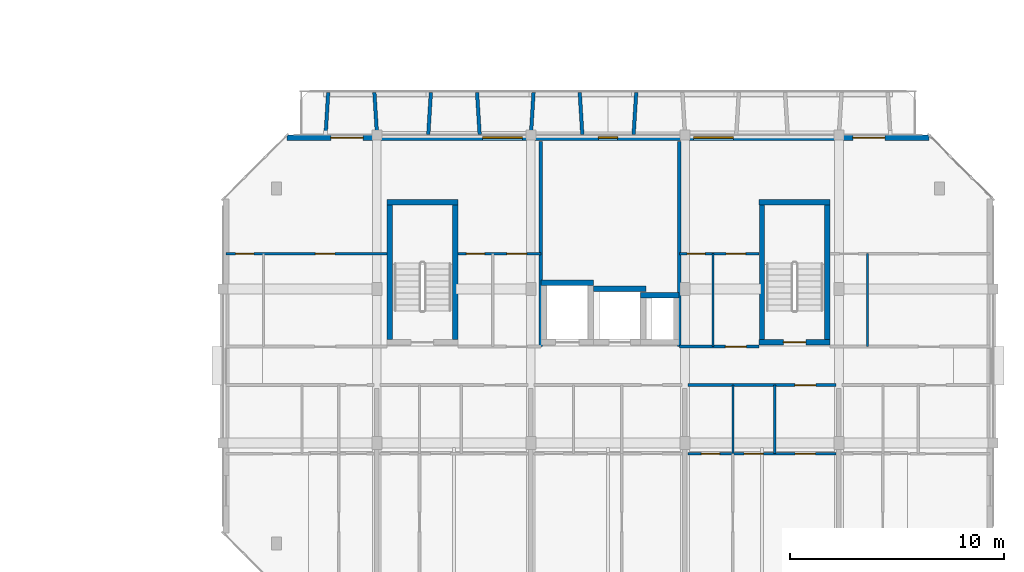
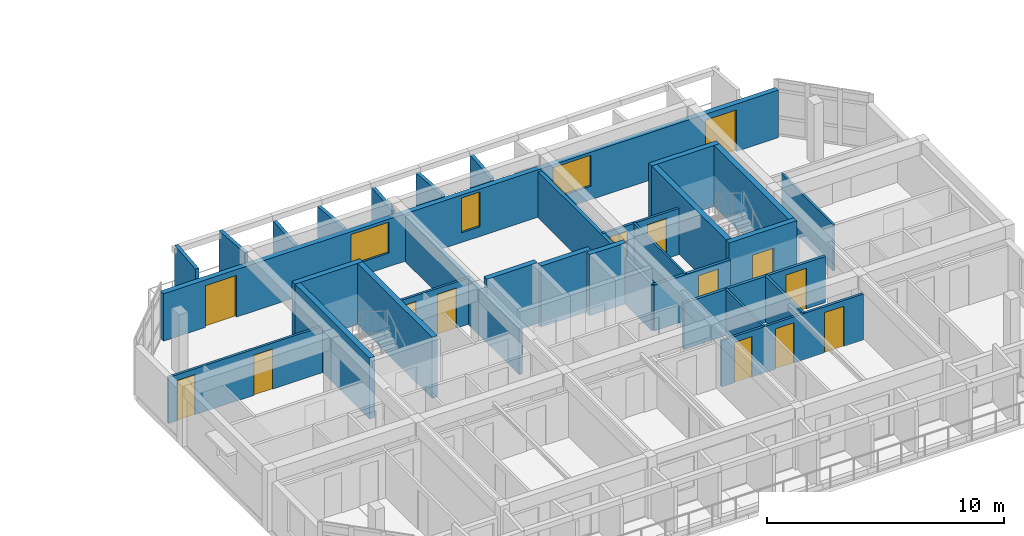
# One storey, part 17 of 30: 30 walls, 14 doors, 3 windows, 17 openings.
"""IFC4 building model written with IfcOpenShell, lengths in metres."""

from ifc_helpers import new_model, si_unit, direction, frame, frame_2d, origin, place, context, subcontext, project, spatial, rectangle, extrude, material, layer, layer_set, type_object, element, fill, save


model = new_model("IFC4")

# Units and contexts
model_context = context("Model", 3, precision=1e-05, world=origin(), true_north=direction((0.0, 1.0)))
body_context = subcontext(model_context, "Body", "Model", "MODEL_VIEW")
ifc_project = project(units=[si_unit("LENGTHUNIT", "METRE"), si_unit("AREAUNIT", "SQUARE_METRE"), si_unit("VOLUMEUNIT", "CUBIC_METRE"), si_unit("PLANEANGLEUNIT", "RADIAN"), si_unit("MASSUNIT", "GRAM", prefix="KILO")], contexts=[model_context])

# Site, building, storey
site_placement = place(None, origin())
site = spatial("IfcSite", under=ifc_project, at=site_placement, CompositionType="ELEMENT")
building_placement = place(site_placement, origin())
building = spatial("IfcBuilding", under=site, at=building_placement, Name="Ochrevale Crest", CompositionType="ELEMENT")
storey_placement = place(building_placement, frame((0.0, 0.0, 33.89990234375)))
storey = spatial("IfcBuildingStorey", under=building, at=storey_placement, Name="L10", CompositionType="ELEMENT", Elevation=33.89990234375)

# Wall, opening, door
ifc_material_1 = material(Name="Gypsum plasterboard", Category="gypsum")
ifc_layer_1 = layer(ifc_material_1, 0.139892578125)
ifc_layer_set_1 = layer_set([ifc_layer_1], Name="Gypsum plasterboard")
wall_type_1 = type_object("IfcWallType", Name="WL-COR-140", PredefinedType="PARTITIONING", material=ifc_layer_set_1)
wall_1_placement = place(storey_placement, frame((151.340087890625, 24.300048828125, 0.0), z_axis=(0.0, 0.0, 1.0), x_axis=(1.0, 0.0, 0.0)))
wall_1 = element("IfcWall", 1, at=wall_1_placement, inside=storey, type_object=wall_type_1, Name="Apartment C-L10-U4 corridor wall", PredefinedType="PARTITIONING", context=body_context, shape_type="SweptSolid", body=[
    extrude(rectangle(XDim=6.919921875, YDim=0.139892578125, at=frame_2d((3.4599609375, 0.0))), origin(), (0.0, 0.0, 1.0), 2.380126953125),
])
opening_1_placement = place(wall_1_placement, frame((5.97509765625, 0.0, 0.0), z_axis=(0.0, 0.0, 1.0), x_axis=(-1.0, 0.0, 0.0)))
opening_1 = element("IfcOpeningElement", 2, at=opening_1_placement, cuts=wall_1, Name="Opening FD01", PredefinedType="OPENING", context=body_context, shape_type="SweptSolid", body=[
    extrude(rectangle(XDim=0.97998046875, YDim=2.10009765625, at=frame_2d((0.489990234375, 1.050048828125))), frame((0.0, 0.080078125, 0.0), z_axis=(0.0, -1.0, 0.0), x_axis=(1.0, 0.0, 0.0)), (0.0, 0.0, 1.0), 0.159912109375),
])
ifc_material_2 = material(Name="Solid-core FSC hardwood", Category="wood")
door_type_1 = type_object("IfcDoorType", Name="DR-APT-950", OperationType="NOTDEFINED", PredefinedType="DOOR", material=ifc_material_2)
door_1_placement = place(opening_1_placement, origin())
door_1 = element("IfcDoor", 3, at=door_1_placement, inside=storey, type_object=door_type_1, Name="Apartment C-L10-U4 entrance door", OperationType="SINGLE_SWING_RIGHT", OverallHeight=2.10009765625, OverallWidth=0.97998046875, PredefinedType="DOOR", context=body_context, shape_type="SweptSolid", body=[
    extrude(rectangle(XDim=0.97998046875, YDim=2.10009765625, at=frame_2d((0.489990234375, 1.050048828125))), frame((0.0, 0.02490234375, 0.0), z_axis=(0.0, -1.0, 0.0), x_axis=(1.0, 0.0, 0.0)), (0.0, 0.0, 1.0), 0.050048828125),
])
fill(opening_1, door_1)

wall_2_placement = place(storey_placement, frame((150.93994140625, 26.10009765625, 0.0), z_axis=(0.0, 0.0, 1.0), x_axis=(1.0, 0.0, 0.0)))
wall_2 = element("IfcWall", 4, at=wall_2_placement, inside=storey, type_object=wall_type_1, Name="Suite C-L10-ME corridor wall", PredefinedType="PARTITIONING", context=body_context, shape_type="SweptSolid", body=[
    extrude(rectangle(XDim=3.719970703125, YDim=0.139892578125, at=frame_2d((1.85986328125, 0.0))), origin(), (0.0, 0.0, 1.0), 2.380126953125),
])
opening_2_placement = place(wall_2_placement, frame((3.131103515625, 0.0, 0.0), z_axis=(0.0, 0.0, 1.0), x_axis=(-1.0, 0.0, 0.0)))
opening_2 = element("IfcOpeningElement", 5, at=opening_2_placement, cuts=wall_2, Name="Opening FD01", PredefinedType="OPENING", context=body_context, shape_type="SweptSolid", body=[
    extrude(rectangle(XDim=0.97998046875, YDim=2.10009765625, at=frame_2d((0.489990234375, 1.050048828125))), frame((0.0, 0.080078125, 0.0), z_axis=(0.0, -1.0, 0.0), x_axis=(1.0, 0.0, 0.0)), (0.0, 0.0, 1.0), 0.159912109375),
])
door_2_placement = place(opening_2_placement, origin())
door_2 = element("IfcDoor", 6, at=door_2_placement, inside=storey, type_object=door_type_1, Name="Suite C-L10-ME entrance door", OperationType="SINGLE_SWING_RIGHT", OverallHeight=2.10009765625, OverallWidth=0.97998046875, PredefinedType="DOOR", context=body_context, shape_type="SweptSolid", body=[
    extrude(rectangle(XDim=0.97998046875, YDim=2.10009765625, at=frame_2d((0.489990234375, 1.050048828125))), frame((0.0, 0.02490234375, 0.0), z_axis=(0.0, -1.0, 0.0), x_axis=(1.0, 0.0, 0.0)), (0.0, 0.0, 1.0), 0.050048828125),
])
fill(opening_2, door_2)

# Walls
ifc_material_3 = material(Name="Precast concrete C50/60", Category="concrete")
ifc_layer_2 = layer(ifc_material_3, 0.2548828125)
ifc_layer_set_2 = layer_set([ifc_layer_2], Name="Precast concrete C50/60")
wall_type_2 = type_object("IfcWallType", Name="WL-CORE-255", PredefinedType="SHEAR", material=ifc_layer_set_2)
wall_3_placement = place(storey_placement, frame((137.2724609375, 32.85009765625, 0.0), z_axis=(0.0, 0.0, 1.0), x_axis=(1.0, 0.0, 0.0)))
element("IfcWall", 7, at=wall_3_placement, inside=storey, type_object=wall_type_2, Name="Block C L10 Stair 1 precast core shear wall N", PredefinedType="SHEAR", context=body_context, shape_type="SweptSolid", body=[
    extrude(rectangle(XDim=3.304931640625, YDim=0.2548828125, at=frame_2d((1.65234375, 0.0))), origin(), (0.0, 0.0, 1.0), 3.150146484375),
])
for number, where, z_axis, x_axis, name in (
    (8, (137.39990234375, 26.427490234375, 0.0), (0.0, 0.0, 1.0), (0.0, 1.0, 0.0), "Block C L10 Stair 1 precast core shear wall W"),
    (9, (140.449951171875, 26.427490234375, 0.0), (0.0, 0.0, 1.0), (0.0, 1.0, 0.0), "Block C L10 Stair 1 precast core shear wall E"),
):
    element("IfcWall", number, at=place(storey_placement, frame(where, z_axis=z_axis, x_axis=x_axis)), inside=storey, type_object=wall_type_2, Name=name, PredefinedType="SHEAR", context=body_context, shape_type="SweptSolid", body=[
        extrude(rectangle(XDim=6.294921875, YDim=0.2548828125, at=frame_2d((3.1474609375, 0.0))), origin(), (0.0, 0.0, 1.0), 3.150146484375),
    ])

# Wall, opening, door
wall_4_placement = place(storey_placement, frame((154.672607421875, 26.300048828125, 0.0), z_axis=(0.0, 0.0, 1.0), x_axis=(1.0, 0.0, 0.0)))
wall_4 = element("IfcWall", 10, at=wall_4_placement, inside=storey, type_object=wall_type_2, Name="Block C L10 Stair 2 precast core shear wall S", PredefinedType="SHEAR", context=body_context, shape_type="SweptSolid", body=[
    extrude(rectangle(XDim=3.304931640625, YDim=0.2548828125, at=frame_2d((1.65234375, 0.0))), origin(), (0.0, 0.0, 1.0), 3.150146484375),
])
opening_3_placement = place(wall_4_placement, frame((1.12744140625, 0.0, 0.0)))
opening_3 = element("IfcOpeningElement", 11, at=opening_3_placement, cuts=wall_4, Name="Opening FD03", PredefinedType="OPENING", context=body_context, shape_type="SweptSolid", body=[
    extrude(rectangle(XDim=1.050048828125, YDim=2.1201171875, at=frame_2d((0.52490234375, 1.06005859375))), frame((0.0, 0.137451171875, 0.0), z_axis=(0.0, -1.0, 0.0), x_axis=(1.0, 0.0, 0.0)), (0.0, 0.0, 1.0), 0.27490234375),
])
door_type_2 = type_object("IfcDoorType", Name="DR-ST-1050", OperationType="NOTDEFINED", PredefinedType="DOOR", material=ifc_material_2)
door_3_placement = place(opening_3_placement, origin())
door_3 = element("IfcDoor", 12, at=door_3_placement, inside=storey, type_object=door_type_2, Name="Block C L10 fire stair 2 door", OperationType="SINGLE_SWING_LEFT", OverallHeight=2.1201171875, OverallWidth=1.050048828125, PredefinedType="DOOR", context=body_context, shape_type="SweptSolid", body=[
    extrude(rectangle(XDim=1.050048828125, YDim=2.1201171875, at=frame_2d((0.52490234375, 1.06005859375))), frame((0.0, 0.02490234375, 0.0), z_axis=(0.0, -1.0, 0.0), x_axis=(1.0, 0.0, 0.0)), (0.0, 0.0, 1.0), 0.050048828125),
])
fill(opening_3, door_3)

# Walls
wall_5_placement = place(storey_placement, frame((154.672607421875, 32.85009765625, 0.0), z_axis=(0.0, 0.0, 1.0), x_axis=(1.0, 0.0, 0.0)))
element("IfcWall", 13, at=wall_5_placement, inside=storey, type_object=wall_type_2, Name="Block C L10 Stair 2 precast core shear wall N", PredefinedType="SHEAR", context=body_context, shape_type="SweptSolid", body=[
    extrude(rectangle(XDim=3.304931640625, YDim=0.2548828125, at=frame_2d((1.65234375, 0.0))), origin(), (0.0, 0.0, 1.0), 3.150146484375),
])
for number, where, z_axis, x_axis, name in (
    (14, (154.800048828125, 26.427490234375, 0.0), (0.0, 0.0, 1.0), (0.0, 1.0, 0.0), "Block C L10 Stair 2 precast core shear wall W"),
    (15, (157.85009765625, 26.427490234375, 0.0), (0.0, 0.0, 1.0), (0.0, 1.0, 0.0), "Block C L10 Stair 2 precast core shear wall E"),
):
    element("IfcWall", number, at=place(storey_placement, frame(where, z_axis=z_axis, x_axis=x_axis)), inside=storey, type_object=wall_type_2, Name=name, PredefinedType="SHEAR", context=body_context, shape_type="SweptSolid", body=[
        extrude(rectangle(XDim=6.294921875, YDim=0.2548828125, at=frame_2d((3.1474609375, 0.0))), origin(), (0.0, 0.0, 1.0), 3.150146484375),
    ])
wall_6_placement = place(storey_placement, frame((144.472412109375, 29.10009765625, 0.0), z_axis=(0.0, 0.0, 1.0), x_axis=(1.0, 0.0, 0.0)))
element("IfcWall", 16, at=wall_6_placement, inside=storey, type_object=wall_type_2, Name="Block C L10 Lift 1 precast shaft shear wall N", PredefinedType="SHEAR", context=body_context, shape_type="SweptSolid", body=[
    extrude(rectangle(XDim=2.455078125, YDim=0.2548828125, at=frame_2d((1.2275390625, 0.0))), origin(), (0.0, 0.0, 1.0), 3.150146484375),
])
wall_7_placement = place(storey_placement, frame((146.922607421875, 28.800048828125, 0.0), z_axis=(0.0, 0.0, 1.0), x_axis=(1.0, 0.0, 0.0)))
element("IfcWall", 17, at=wall_7_placement, inside=storey, type_object=wall_type_2, Name="Block C L10 Lift 2 precast shaft shear wall N", PredefinedType="SHEAR", context=body_context, shape_type="SweptSolid", body=[
    extrude(rectangle(XDim=2.454833984375, YDim=0.2548828125, at=frame_2d((1.2275390625, 0.0))), origin(), (0.0, 0.0, 1.0), 3.150146484375),
])
wall_8_placement = place(storey_placement, frame((149.12255859375, 28.5, 0.0), z_axis=(0.0, 0.0, 1.0), x_axis=(1.0, 0.0, 0.0)))
element("IfcWall", 18, at=wall_8_placement, inside=storey, type_object=wall_type_2, Name="Block C L10 services riser shaft core wall N", PredefinedType="SHEAR", context=body_context, shape_type="SweptSolid", body=[
    extrude(rectangle(XDim=1.804931640625, YDim=0.2548828125, at=frame_2d((0.90234375, 0.0))), origin(), (0.0, 0.0, 1.0), 3.150146484375),
])

# Wall, openings, doors, windows
ifc_material_4 = material(Name="Precast concrete C40/50", Category="concrete")
ifc_layer_3 = layer(ifc_material_4, 0.25)
ifc_layer_set_3 = layer_set([ifc_layer_3], Name="Precast concrete C40/50")
wall_type_3 = type_object("IfcWallType", Name="WL-EXT-GOLD-250", PredefinedType="SOLIDWALL", material=ifc_layer_set_3)
wall_9_placement = place(storey_placement, frame((162.60009765625, 35.875, 0.0), z_axis=(0.0, 0.0, 1.0), x_axis=(-1.0, 0.0, 0.0)))
wall_9 = element("IfcWall", 19, at=wall_9_placement, inside=storey, type_object=wall_type_3, Name="Block C L10 external facade wall E5", PredefinedType="SOLIDWALL", context=body_context, shape_type="SweptSolid", body=[
    extrude(rectangle(XDim=30.0, YDim=0.25, at=frame_2d((15.0, 0.0))), origin(), (0.0, 0.0, 1.0), 2.4501953125),
])
opening_4_placement = place(wall_9_placement, frame((27.949951171875, 0.0, 0.0), z_axis=(0.0, 0.0, 1.0), x_axis=(-1.0, 0.0, 0.0)))
opening_4 = element("IfcOpeningElement", 20, at=opening_4_placement, cuts=wall_9, Name="Opening BD01", PredefinedType="OPENING", context=body_context, shape_type="SweptSolid", body=[
    extrude(rectangle(XDim=1.5, YDim=2.14990234375, at=frame_2d((0.75, 1.074951171875))), frame((0.0, 0.135009765625, 0.0), z_axis=(0.0, -1.0, 0.0), x_axis=(1.0, 0.0, 0.0)), (0.0, 0.0, 1.0), 0.27001953125),
])
opening_5_placement = place(wall_9_placement, frame((3.550048828125, 0.0, 0.0), z_axis=(0.0, 0.0, 1.0), x_axis=(-1.0, 0.0, 0.0)))
opening_5 = element("IfcOpeningElement", 21, at=opening_5_placement, cuts=wall_9, Name="Opening BD01", PredefinedType="OPENING", context=body_context, shape_type="SweptSolid", body=[
    extrude(rectangle(XDim=1.5, YDim=2.14990234375, at=frame_2d((0.75, 1.074951171875))), frame((0.0, 0.135009765625, 0.0), z_axis=(0.0, -1.0, 0.0), x_axis=(1.0, 0.0, 0.0)), (0.0, 0.0, 1.0), 0.27001953125),
])
opening_6_placement = place(wall_9_placement, frame((14.550048828125, 0.0, 0.5)))
opening_6 = element("IfcOpeningElement", 22, at=opening_6_placement, cuts=wall_9, Name="Opening W17", PredefinedType="OPENING", context=body_context, shape_type="SweptSolid", body=[
    extrude(rectangle(XDim=0.89990234375, YDim=1.800048828125, at=frame_2d((0.449951171875, 0.89990234375))), frame((0.0, 0.135009765625, 0.0), z_axis=(0.0, -1.0, 0.0), x_axis=(1.0, 0.0, 0.0)), (0.0, 0.0, 1.0), 0.27001953125),
])
opening_7_placement = place(wall_9_placement, frame((9.137451171875, 0.0, 0.699951171875)))
opening_7 = element("IfcOpeningElement", 23, at=opening_7_placement, cuts=wall_9, Name="Opening W11", PredefinedType="OPENING", context=body_context, shape_type="SweptSolid", body=[
    extrude(rectangle(XDim=1.860107421875, YDim=1.60009765625, at=frame_2d((0.93017578125, 0.800048828125))), frame((0.0, 0.135009765625, 0.0), z_axis=(0.0, -1.0, 0.0), x_axis=(1.0, 0.0, 0.0)), (0.0, 0.0, 1.0), 0.27001953125),
])
opening_8_placement = place(wall_9_placement, frame((19.00244140625, 0.0, 0.699951171875)))
opening_8 = element("IfcOpeningElement", 24, at=opening_8_placement, cuts=wall_9, Name="Opening W11", PredefinedType="OPENING", context=body_context, shape_type="SweptSolid", body=[
    extrude(rectangle(XDim=1.860107421875, YDim=1.60009765625, at=frame_2d((0.93017578125, 0.800048828125))), frame((0.0, 0.135009765625, 0.0), z_axis=(0.0, -1.0, 0.0), x_axis=(1.0, 0.0, 0.0)), (0.0, 0.0, 1.0), 0.27001953125),
])
ifc_material_5 = material(Name="Anodised aluminium 6063-T5 and toughened glass", Category="aluminium")
door_type_3 = type_object("IfcDoorType", Name="DR-BAL-1500", OperationType="NOTDEFINED", PredefinedType="DOOR", material=ifc_material_5)
door_4_placement = place(opening_4_placement, origin())
door_4 = element("IfcDoor", 25, at=door_4_placement, inside=storey, type_object=door_type_3, Name="Block C L10 balcony door N1", OperationType="SINGLE_SWING_RIGHT", OverallHeight=2.14990234375, OverallWidth=1.5, PredefinedType="DOOR", context=body_context, shape_type="SweptSolid", body=[
    extrude(rectangle(XDim=1.5, YDim=2.14990234375, at=frame_2d((0.75, 1.074951171875))), frame((0.0, 0.02490234375, 0.0), z_axis=(0.0, -1.0, 0.0), x_axis=(1.0, 0.0, 0.0)), (0.0, 0.0, 1.0), 0.050048828125),
])
fill(opening_4, door_4)
door_5_placement = place(opening_5_placement, origin())
door_5 = element("IfcDoor", 26, at=door_5_placement, inside=storey, type_object=door_type_3, Name="Block C L10 balcony door N5", OperationType="SINGLE_SWING_LEFT", OverallHeight=2.14990234375, OverallWidth=1.5, PredefinedType="DOOR", context=body_context, shape_type="SweptSolid", body=[
    extrude(rectangle(XDim=1.5, YDim=2.14990234375, at=frame_2d((0.75, 1.074951171875))), frame((0.0, 0.02490234375, 0.0), z_axis=(0.0, -1.0, 0.0), x_axis=(1.0, 0.0, 0.0)), (0.0, 0.0, 1.0), 0.050048828125),
])
fill(opening_5, door_5)
ifc_material_6 = material(Name="Anodised aluminium 6063-T5 and low-E double glazing", Category="aluminium")
window_type_1 = type_object("IfcWindowType", Name="WIN-W11", PartitioningType="SINGLE_PANEL", PredefinedType="WINDOW", material=ifc_material_6)
window_1_placement = place(opening_7_placement, origin())
window_1 = element("IfcWindow", 27, at=window_1_placement, inside=storey, type_object=window_type_1, Name="Block C L10 Suite C-L10-ME Garden Alcove Studio window", OverallHeight=1.60009765625, OverallWidth=1.860107421875, PartitioningType="SINGLE_PANEL", PredefinedType="WINDOW", context=body_context, shape_type="SweptSolid", body=[
    extrude(rectangle(XDim=1.860107421875, YDim=1.60009765625, at=frame_2d((0.93017578125, 0.800048828125))), frame((0.0, 0.030029296875, 0.0), z_axis=(0.0, -1.0, 0.0), x_axis=(1.0, 0.0, 0.0)), (0.0, 0.0, 1.0), 0.06005859375),
])
fill(opening_7, window_1)
window_2_placement = place(opening_8_placement, origin())
window_2 = element("IfcWindow", 28, at=window_2_placement, inside=storey, type_object=window_type_1, Name="Block C L10 Suite C-L10-MW Courtyard Studio Living window", OverallHeight=1.60009765625, OverallWidth=1.860107421875, PartitioningType="SINGLE_PANEL", PredefinedType="WINDOW", context=body_context, shape_type="SweptSolid", body=[
    extrude(rectangle(XDim=1.860107421875, YDim=1.60009765625, at=frame_2d((0.93017578125, 0.800048828125))), frame((0.0, 0.030029296875, 0.0), z_axis=(0.0, -1.0, 0.0), x_axis=(1.0, 0.0, 0.0)), (0.0, 0.0, 1.0), 0.06005859375),
])
fill(opening_8, window_2)
window_type_2 = type_object("IfcWindowType", Name="WIN-W17", PartitioningType="SINGLE_PANEL", PredefinedType="WINDOW", material=ifc_material_6)
window_3_placement = place(opening_6_placement, origin())
window_3 = element("IfcWindow", 29, at=window_3_placement, inside=storey, type_object=window_type_2, Name="Block C L10 core lancet window", OverallHeight=1.800048828125, OverallWidth=0.89990234375, PartitioningType="SINGLE_PANEL", PredefinedType="WINDOW", context=body_context, shape_type="SweptSolid", body=[
    extrude(rectangle(XDim=0.89990234375, YDim=1.800048828125, at=frame_2d((0.449951171875, 0.89990234375))), frame((0.0, 0.030029296875, 0.0), z_axis=(0.0, -1.0, 0.0), x_axis=(1.0, 0.0, 0.0)), (0.0, 0.0, 1.0), 0.06005859375),
])
fill(opening_6, window_3)

# Walls
ifc_layer_4 = layer(ifc_material_4, 0.1650390625)
ifc_layer_set_4 = layer_set([ifc_layer_4], Name="Precast concrete C40/50")
wall_type_4 = type_object("IfcWallType", Name="WL-HC-CHEEK-165", PredefinedType="ELEMENTEDWALL", material=ifc_layer_set_4)
for number, where, z_axis, x_axis, name in (
    (30, (134.39990234375, 36.02001953125, 0.0), (0.0, 0.0, 1.0), (0.061170732449, 0.998127317276, 0.0), "Block C L10 N precast honeycomb cheek 1"),
    (31, (136.800048828125, 36.02001953125, 0.0), (0.0, 0.0, 1.0), (-0.061170732449, 0.998127317276, 0.0), "Block C L10 N precast honeycomb cheek 2"),
):
    element("IfcWall", number, at=place(storey_placement, frame(where, z_axis=z_axis, x_axis=x_axis)), inside=storey, type_object=wall_type_4, Name=name, PredefinedType="ELEMENTEDWALL", context=body_context, shape_type="SweptSolid", body=[
        extrude(rectangle(XDim=1.963623046875, YDim=0.1650390625, at=frame_2d((0.98193359375, 0.0))), origin(), (0.0, 0.0, 1.0), 2.9501953125),
    ])
for number, where, z_axis, x_axis, name in (
    (32, (139.199951171875, 36.02001953125, 0.0), (0.0, 0.0, 1.0), (0.061170732449, 0.998127317276, 0.0), "Block C L10 N precast honeycomb cheek 3"),
    (33, (141.60009765625, 36.02001953125, 0.0), (0.0, 0.0, 1.0), (-0.061170732449, 0.998127317276, 0.0), "Block C L10 N precast honeycomb cheek 4"),
):
    element("IfcWall", number, at=place(storey_placement, frame(where, z_axis=z_axis, x_axis=x_axis)), inside=storey, type_object=wall_type_4, Name=name, PredefinedType="ELEMENTEDWALL", context=body_context, shape_type="SweptSolid", body=[
        extrude(rectangle(XDim=1.963623046875, YDim=0.1650390625, at=frame_2d((0.98193359375, 0.0))), origin(), (0.0, 0.0, 1.0), 2.530029296875),
    ])
for number, where, z_axis, x_axis, name in (
    (34, (144.0, 36.02001953125, 0.0), (0.0, 0.0, 1.0), (0.061170732449, 0.998127317276, 0.0), "Block C L10 N precast honeycomb cheek 5"),
    (35, (146.39990234375, 36.02001953125, 0.0), (0.0, 0.0, 1.0), (-0.061046865508, 0.998134900808, 0.0), "Block C L10 N precast honeycomb cheek 6"),
    (36, (148.800048828125, 36.02001953125, 0.0), (0.0, 0.0, 1.0), (0.061046865508, 0.998134900808, 0.0), "Block C L10 N precast honeycomb cheek 7"),
):
    element("IfcWall", number, at=place(storey_placement, frame(where, z_axis=z_axis, x_axis=x_axis)), inside=storey, type_object=wall_type_4, Name=name, PredefinedType="ELEMENTEDWALL", context=body_context, shape_type="SweptSolid", body=[
        extrude(rectangle(XDim=1.963623046875, YDim=0.1650390625, at=frame_2d((0.98193359375, 0.0))), origin(), (0.0, 0.0, 1.0), 2.580078125),
    ])
ifc_layer_5 = layer(ifc_material_1, 0.1201171875)
ifc_layer_set_5 = layer_set([ifc_layer_5], Name="Gypsum plasterboard")
wall_type_5 = type_object("IfcWallType", Name="WL-PART-120", PredefinedType="PARTITIONING", material=ifc_layer_set_5)
wall_10_placement = place(storey_placement, frame((155.389892578125, 21.10009765625, 0.0), z_axis=(0.0, 0.0, 1.0), x_axis=(0.0, 1.0, 0.0)))
element("IfcWall", 37, at=wall_10_placement, inside=storey, type_object=wall_type_5, Name="Apartment C-L10-U4 kitchen-foyer wall", PredefinedType="PARTITIONING", context=body_context, shape_type="SweptSolid", body=[
    extrude(rectangle(XDim=3.199951171875, YDim=0.1201171875, at=frame_2d((1.60009765625, 0.0))), origin(), (0.0, 0.0, 1.0), 2.380126953125),
])

# Wall, openings, doors
wall_11_placement = place(storey_placement, frame((151.340087890625, 21.10009765625, 0.0), z_axis=(0.0, 0.0, 1.0), x_axis=(1.0, 0.0, 0.0)))
wall_11 = element("IfcWall", 38, at=wall_11_placement, inside=storey, type_object=wall_type_5, Name="Apartment C-L10-U4 central partition", PredefinedType="PARTITIONING", context=body_context, shape_type="SweptSolid", body=[
    extrude(rectangle(XDim=6.919921875, YDim=0.1201171875, at=frame_2d((3.4599609375, 0.0))), origin(), (0.0, 0.0, 1.0), 2.380126953125),
])
opening_9_placement = place(wall_11_placement, frame((0.625, 0.0, 0.0)))
opening_9 = element("IfcOpeningElement", 39, at=opening_9_placement, cuts=wall_11, Name="Opening ID01", PredefinedType="OPENING", context=body_context, shape_type="SweptSolid", body=[
    extrude(rectangle(XDim=0.85009765625, YDim=2.080078125, at=frame_2d((0.425048828125, 1.0400390625))), frame((0.0, 0.070068359375, 0.0), z_axis=(0.0, -1.0, 0.0), x_axis=(1.0, 0.0, 0.0)), (0.0, 0.0, 1.0), 0.14013671875),
])
opening_10_placement = place(wall_11_placement, frame((3.52490234375, 0.0, 0.0), z_axis=(0.0, 0.0, 1.0), x_axis=(-1.0, 0.0, 0.0)))
opening_10 = element("IfcOpeningElement", 40, at=opening_10_placement, cuts=wall_11, Name="Opening ID02", PredefinedType="OPENING", context=body_context, shape_type="SweptSolid", body=[
    extrude(rectangle(XDim=0.89990234375, YDim=2.080078125, at=frame_2d((0.449951171875, 1.0400390625))), frame((0.0, 0.070068359375, 0.0), z_axis=(0.0, -1.0, 0.0), x_axis=(1.0, 0.0, 0.0)), (0.0, 0.0, 1.0), 0.14013671875),
])
opening_11_placement = place(wall_11_placement, frame((5.010009765625, 0.0, 0.0)))
opening_11 = element("IfcOpeningElement", 41, at=opening_11_placement, cuts=wall_11, Name="Opening ID06", PredefinedType="OPENING", context=body_context, shape_type="SweptSolid", body=[
    extrude(rectangle(XDim=0.949951171875, YDim=2.080078125, at=frame_2d((0.47509765625, 1.0400390625))), frame((0.0, 0.070068359375, 0.0), z_axis=(0.0, -1.0, 0.0), x_axis=(1.0, 0.0, 0.0)), (0.0, 0.0, 1.0), 0.14013671875),
])
door_type_4 = type_object("IfcDoorType", Name="DR-INT-900", OperationType="NOTDEFINED", PredefinedType="DOOR", material=ifc_material_2)
door_6_placement = place(opening_10_placement, origin())
door_6 = element("IfcDoor", 42, at=door_6_placement, inside=storey, type_object=door_type_4, Name="Apartment C-L10-U4 Kitchen door", OperationType="SINGLE_SWING_RIGHT", OverallHeight=2.080078125, OverallWidth=0.89990234375, PredefinedType="DOOR", context=body_context, shape_type="SweptSolid", body=[
    extrude(rectangle(XDim=0.89990234375, YDim=2.080078125, at=frame_2d((0.449951171875, 1.0400390625))), frame((0.0, 0.02490234375, 0.0), z_axis=(0.0, -1.0, 0.0), x_axis=(1.0, 0.0, 0.0)), (0.0, 0.0, 1.0), 0.050048828125),
])
fill(opening_10, door_6)
door_type_5 = type_object("IfcDoorType", Name="DR-INT-950", OperationType="NOTDEFINED", PredefinedType="DOOR", material=ifc_material_2)
door_7_placement = place(opening_11_placement, origin())
door_7 = element("IfcDoor", 43, at=door_7_placement, inside=storey, type_object=door_type_5, Name="Apartment C-L10-U4 Living Foyer door", OperationType="SINGLE_SWING_LEFT", OverallHeight=2.080078125, OverallWidth=0.949951171875, PredefinedType="DOOR", context=body_context, shape_type="SweptSolid", body=[
    extrude(rectangle(XDim=0.949951171875, YDim=2.080078125, at=frame_2d((0.47509765625, 1.0400390625))), frame((0.0, 0.02490234375, 0.0), z_axis=(0.0, -1.0, 0.0), x_axis=(1.0, 0.0, 0.0)), (0.0, 0.0, 1.0), 0.050048828125),
])
fill(opening_11, door_7)
door_type_6 = type_object("IfcDoorType", Name="DR-WC-850", OperationType="NOTDEFINED", PredefinedType="DOOR", material=ifc_material_2)
door_8_placement = place(opening_9_placement, origin())
door_8 = element("IfcDoor", 44, at=door_8_placement, inside=storey, type_object=door_type_6, Name="Apartment C-L10-U4 Bathroom door", OperationType="SINGLE_SWING_LEFT", OverallHeight=2.080078125, OverallWidth=0.85009765625, PredefinedType="DOOR", context=body_context, shape_type="SweptSolid", body=[
    extrude(rectangle(XDim=0.85009765625, YDim=2.080078125, at=frame_2d((0.425048828125, 1.0400390625))), frame((0.0, 0.02490234375, 0.0), z_axis=(0.0, -1.0, 0.0), x_axis=(1.0, 0.0, 0.0)), (0.0, 0.0, 1.0), 0.050048828125),
])
fill(opening_9, door_8)

wall_12_placement = place(storey_placement, frame((129.739990234375, 30.449951171875, 0.0), z_axis=(0.0, 0.0, 1.0), x_axis=(1.0, 0.0, 0.0)))
wall_12 = element("IfcWall", 45, at=wall_12_placement, inside=storey, type_object=wall_type_5, Name="Suite C-L10-CW internal wall", PredefinedType="PARTITIONING", context=body_context, shape_type="SweptSolid", body=[
    extrude(rectangle(XDim=7.52001953125, YDim=0.1201171875, at=frame_2d((3.760009765625, 0.0))), origin(), (0.0, 0.0, 1.0), 2.380126953125),
])
opening_12_placement = place(wall_12_placement, frame((0.449951171875, 0.0, 0.0)))
opening_12 = element("IfcOpeningElement", 46, at=opening_12_placement, cuts=wall_12, Name="Opening ID01", PredefinedType="OPENING", context=body_context, shape_type="SweptSolid", body=[
    extrude(rectangle(XDim=0.85009765625, YDim=2.080078125, at=frame_2d((0.425048828125, 1.0400390625))), frame((0.0, 0.070068359375, 0.0), z_axis=(0.0, -1.0, 0.0), x_axis=(1.0, 0.0, 0.0)), (0.0, 0.0, 1.0), 0.14013671875),
])
opening_13_placement = place(wall_12_placement, frame((5.094970703125, 0.0, 0.0), z_axis=(0.0, 0.0, 1.0), x_axis=(-1.0, 0.0, 0.0)))
opening_13 = element("IfcOpeningElement", 47, at=opening_13_placement, cuts=wall_12, Name="Opening ID04", PredefinedType="OPENING", context=body_context, shape_type="SweptSolid", body=[
    extrude(rectangle(XDim=0.919921875, YDim=2.080078125, at=frame_2d((0.4599609375, 1.0400390625))), frame((0.0, 0.070068359375, 0.0), z_axis=(0.0, -1.0, 0.0), x_axis=(1.0, 0.0, 0.0)), (0.0, 0.0, 1.0), 0.14013671875),
])
door_type_7 = type_object("IfcDoorType", Name="DR-INT-920", OperationType="NOTDEFINED", PredefinedType="DOOR", material=ifc_material_2)
door_9_placement = place(opening_13_placement, origin())
door_9 = element("IfcDoor", 48, at=door_9_placement, inside=storey, type_object=door_type_7, Name="Suite C-L10-CW Garden Alcove Studio door", OperationType="SINGLE_SWING_RIGHT", OverallHeight=2.080078125, OverallWidth=0.919921875, PredefinedType="DOOR", context=body_context, shape_type="SweptSolid", body=[
    extrude(rectangle(XDim=0.919921875, YDim=2.080078125, at=frame_2d((0.4599609375, 1.0400390625))), frame((0.0, 0.02490234375, 0.0), z_axis=(0.0, -1.0, 0.0), x_axis=(1.0, 0.0, 0.0)), (0.0, 0.0, 1.0), 0.050048828125),
])
fill(opening_13, door_9)
door_10_placement = place(opening_12_placement, origin())
door_10 = element("IfcDoor", 49, at=door_10_placement, inside=storey, type_object=door_type_6, Name="Suite C-L10-CW Bathroom door", OperationType="SINGLE_SWING_LEFT", OverallHeight=2.080078125, OverallWidth=0.85009765625, PredefinedType="DOOR", context=body_context, shape_type="SweptSolid", body=[
    extrude(rectangle(XDim=0.85009765625, YDim=2.080078125, at=frame_2d((0.425048828125, 1.0400390625))), frame((0.0, 0.02490234375, 0.0), z_axis=(0.0, -1.0, 0.0), x_axis=(1.0, 0.0, 0.0)), (0.0, 0.0, 1.0), 0.050048828125),
])
fill(opening_12, door_10)

wall_13_placement = place(storey_placement, frame((140.590087890625, 30.449951171875, 0.0), z_axis=(0.0, 0.0, 1.0), x_axis=(1.0, 0.0, 0.0)))
wall_13 = element("IfcWall", 50, at=wall_13_placement, inside=storey, type_object=wall_type_5, Name="Suite C-L10-MW internal wall", PredefinedType="PARTITIONING", context=body_context, shape_type="SweptSolid", body=[
    extrude(rectangle(XDim=3.869873046875, YDim=0.1201171875, at=frame_2d((1.93505859375, 0.0))), origin(), (0.0, 0.0, 1.0), 2.380126953125),
])
opening_14_placement = place(wall_13_placement, frame((1.23779296875, 0.0, 0.0), z_axis=(0.0, 0.0, 1.0), x_axis=(-1.0, 0.0, 0.0)))
opening_14 = element("IfcOpeningElement", 51, at=opening_14_placement, cuts=wall_13, Name="Opening ID01", PredefinedType="OPENING", context=body_context, shape_type="SweptSolid", body=[
    extrude(rectangle(XDim=0.85009765625, YDim=2.080078125, at=frame_2d((0.425048828125, 1.0400390625))), frame((0.0, 0.070068359375, 0.0), z_axis=(0.0, -1.0, 0.0), x_axis=(1.0, 0.0, 0.0)), (0.0, 0.0, 1.0), 0.14013671875),
])
opening_15_placement = place(wall_13_placement, frame((2.28759765625, 0.0, 0.0)))
opening_15 = element("IfcOpeningElement", 52, at=opening_15_placement, cuts=wall_13, Name="Opening ID04", PredefinedType="OPENING", context=body_context, shape_type="SweptSolid", body=[
    extrude(rectangle(XDim=0.919921875, YDim=2.080078125, at=frame_2d((0.4599609375, 1.0400390625))), frame((0.0, 0.070068359375, 0.0), z_axis=(0.0, -1.0, 0.0), x_axis=(1.0, 0.0, 0.0)), (0.0, 0.0, 1.0), 0.14013671875),
])
door_11_placement = place(opening_15_placement, origin())
door_11 = element("IfcDoor", 53, at=door_11_placement, inside=storey, type_object=door_type_7, Name="Suite C-L10-MW Courtyard Studio Living door", OperationType="SINGLE_SWING_LEFT", OverallHeight=2.080078125, OverallWidth=0.919921875, PredefinedType="DOOR", context=body_context, shape_type="SweptSolid", body=[
    extrude(rectangle(XDim=0.919921875, YDim=2.080078125, at=frame_2d((0.4599609375, 1.0400390625))), frame((0.0, 0.02490234375, 0.0), z_axis=(0.0, -1.0, 0.0), x_axis=(1.0, 0.0, 0.0)), (0.0, 0.0, 1.0), 0.050048828125),
])
fill(opening_15, door_11)
door_12_placement = place(opening_14_placement, origin())
door_12 = element("IfcDoor", 54, at=door_12_placement, inside=storey, type_object=door_type_6, Name="Suite C-L10-MW Bathroom door", OperationType="SINGLE_SWING_RIGHT", OverallHeight=2.080078125, OverallWidth=0.85009765625, PredefinedType="DOOR", context=body_context, shape_type="SweptSolid", body=[
    extrude(rectangle(XDim=0.85009765625, YDim=2.080078125, at=frame_2d((0.425048828125, 1.0400390625))), frame((0.0, 0.02490234375, 0.0), z_axis=(0.0, -1.0, 0.0), x_axis=(1.0, 0.0, 0.0)), (0.0, 0.0, 1.0), 0.050048828125),
])
fill(opening_14, door_12)

wall_14_placement = place(storey_placement, frame((150.93994140625, 30.449951171875, 0.0), z_axis=(0.0, 0.0, 1.0), x_axis=(1.0, 0.0, 0.0)))
wall_14 = element("IfcWall", 55, at=wall_14_placement, inside=storey, type_object=wall_type_5, Name="Suite C-L10-ME internal wall", PredefinedType="PARTITIONING", context=body_context, shape_type="SweptSolid", body=[
    extrude(rectangle(XDim=3.719970703125, YDim=0.1201171875, at=frame_2d((1.85986328125, 0.0))), origin(), (0.0, 0.0, 1.0), 2.380126953125),
])
opening_16_placement = place(wall_14_placement, frame((0.356201171875, 0.0, 0.0)))
opening_16 = element("IfcOpeningElement", 56, at=opening_16_placement, cuts=wall_14, Name="Opening ID01", PredefinedType="OPENING", context=body_context, shape_type="SweptSolid", body=[
    extrude(rectangle(XDim=0.85009765625, YDim=2.080078125, at=frame_2d((0.425048828125, 1.0400390625))), frame((0.0, 0.070068359375, 0.0), z_axis=(0.0, -1.0, 0.0), x_axis=(1.0, 0.0, 0.0)), (0.0, 0.0, 1.0), 0.14013671875),
])
opening_17_placement = place(wall_14_placement, frame((3.10107421875, 0.0, 0.0), z_axis=(0.0, 0.0, 1.0), x_axis=(-1.0, 0.0, 0.0)))
opening_17 = element("IfcOpeningElement", 57, at=opening_17_placement, cuts=wall_14, Name="Opening ID04", PredefinedType="OPENING", context=body_context, shape_type="SweptSolid", body=[
    extrude(rectangle(XDim=0.919921875, YDim=2.080078125, at=frame_2d((0.4599609375, 1.0400390625))), frame((0.0, 0.070068359375, 0.0), z_axis=(0.0, -1.0, 0.0), x_axis=(1.0, 0.0, 0.0)), (0.0, 0.0, 1.0), 0.14013671875),
])
door_13_placement = place(opening_17_placement, origin())
door_13 = element("IfcDoor", 58, at=door_13_placement, inside=storey, type_object=door_type_7, Name="Suite C-L10-ME Garden Alcove Studio door", OperationType="SINGLE_SWING_RIGHT", OverallHeight=2.080078125, OverallWidth=0.919921875, PredefinedType="DOOR", context=body_context, shape_type="SweptSolid", body=[
    extrude(rectangle(XDim=0.919921875, YDim=2.080078125, at=frame_2d((0.4599609375, 1.0400390625))), frame((0.0, 0.02490234375, 0.0), z_axis=(0.0, -1.0, 0.0), x_axis=(1.0, 0.0, 0.0)), (0.0, 0.0, 1.0), 0.050048828125),
])
fill(opening_17, door_13)
door_14_placement = place(opening_16_placement, origin())
door_14 = element("IfcDoor", 59, at=door_14_placement, inside=storey, type_object=door_type_6, Name="Suite C-L10-ME Bathroom door", OperationType="SINGLE_SWING_LEFT", OverallHeight=2.080078125, OverallWidth=0.85009765625, PredefinedType="DOOR", context=body_context, shape_type="SweptSolid", body=[
    extrude(rectangle(XDim=0.85009765625, YDim=2.080078125, at=frame_2d((0.425048828125, 1.0400390625))), frame((0.0, 0.02490234375, 0.0), z_axis=(0.0, -1.0, 0.0), x_axis=(1.0, 0.0, 0.0)), (0.0, 0.0, 1.0), 0.050048828125),
])
fill(opening_16, door_14)

# Walls
ifc_layer_6 = layer(ifc_material_1, 0.169921875)
ifc_layer_set_6 = layer_set([ifc_layer_6], Name="Gypsum plasterboard")
wall_type_6 = type_object("IfcWallType", Name="WL-TEN-170", PredefinedType="PARTITIONING", material=ifc_layer_set_6)
for number, where, z_axis, x_axis, name in (
    (60, (144.4599609375, 26.10009765625, 0.0), (0.0, 0.0, 1.0), (0.0, 1.0, 0.0), "Suite C-L10-MW east party wall"),
    (61, (150.93994140625, 26.10009765625, 0.0), (0.0, 0.0, 1.0), (0.0, 1.0, 0.0), "Suite C-L10-ME west party wall"),
):
    element("IfcWall", number, at=place(storey_placement, frame(where, z_axis=z_axis, x_axis=x_axis)), inside=storey, type_object=wall_type_6, Name=name, PredefinedType="PARTITIONING", context=body_context, shape_type="SweptSolid", body=[
        extrude(rectangle(XDim=9.599853515625, YDim=0.169921875, at=frame_2d((4.7998046875, 0.0))), origin(), (0.0, 0.0, 1.0), 2.380126953125),
    ])
ifc_layer_7 = layer(ifc_material_1, 0.10009765625)
ifc_layer_set_7 = layer_set([ifc_layer_7], Name="Gypsum plasterboard")
wall_type_7 = type_object("IfcWallType", Name="WL-WET-100", PredefinedType="PARTITIONING", material=ifc_layer_set_7)
wall_15_placement = place(storey_placement, frame((153.43994140625, 21.10009765625, 0.0), z_axis=(0.0, 0.0, 1.0), x_axis=(0.0, 1.0, 0.0)))
element("IfcWall", 62, at=wall_15_placement, inside=storey, type_object=wall_type_7, Name="Apartment C-L10-U4 bath-kitchen wall", PredefinedType="PARTITIONING", context=body_context, shape_type="SweptSolid", body=[
    extrude(rectangle(XDim=3.199951171875, YDim=0.10009765625, at=frame_2d((1.60009765625, 0.0))), origin(), (0.0, 0.0, 1.0), 2.380126953125),
])
for number, where, z_axis, x_axis, name in (
    (63, (152.50244140625, 26.10009765625, 0.0), (0.0, 0.0, 1.0), (0.0, 1.0, 0.0), "Suite C-L10-ME bathroom divider"),
    (64, (159.739990234375, 26.10009765625, 0.0), (0.0, 0.0, 1.0), (0.0, 1.0, 0.0), "Suite C-L10-CE bathroom divider"),
):
    element("IfcWall", number, at=place(storey_placement, frame(where, z_axis=z_axis, x_axis=x_axis)), inside=storey, type_object=wall_type_7, Name=name, PredefinedType="PARTITIONING", context=body_context, shape_type="SweptSolid", body=[
        extrude(rectangle(XDim=4.349853515625, YDim=0.10009765625, at=frame_2d((2.1748046875, 0.0))), origin(), (0.0, 0.0, 1.0), 2.380126953125),
    ])

save(model, "model.ifc")
